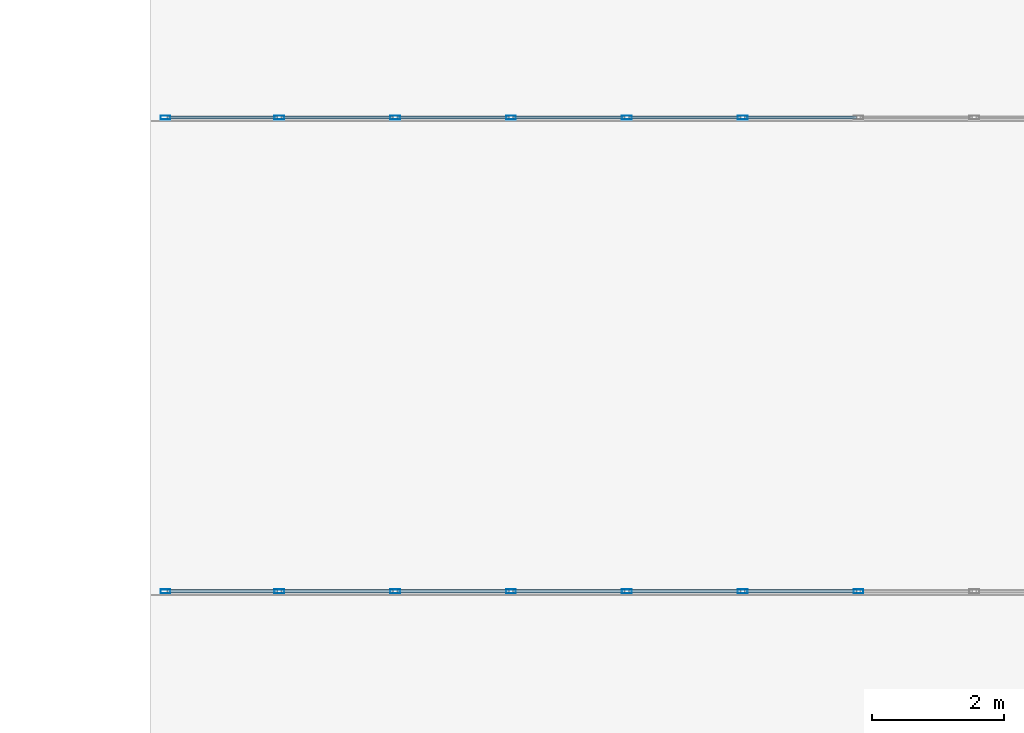
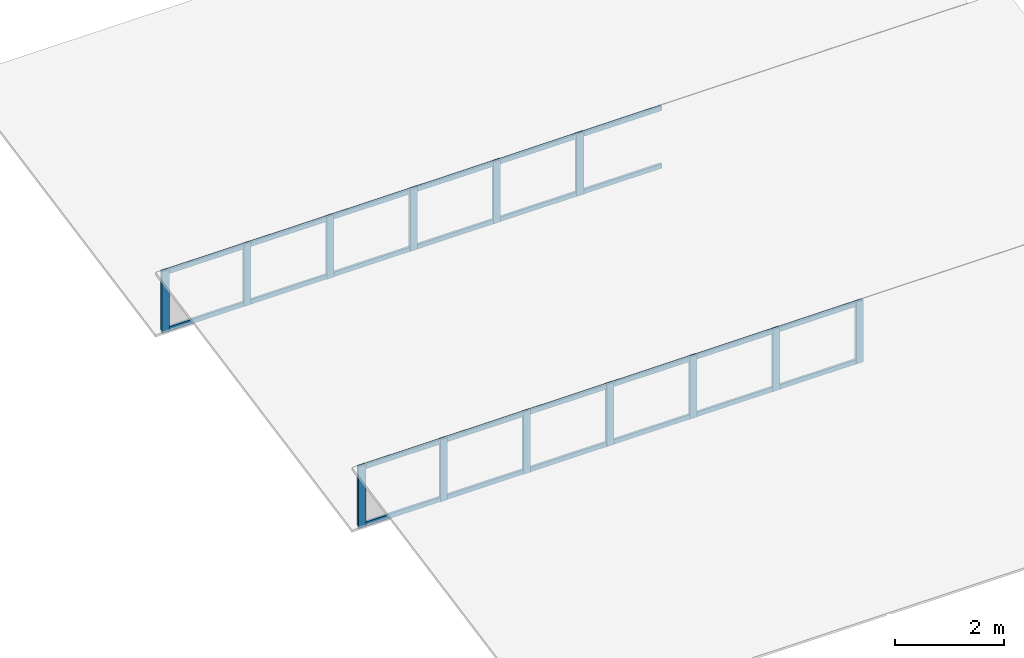
# One storey, part 42 of 101: 37 members, 2 elements without a shape of their own.
"""IFC4 building model written with IfcOpenShell, lengths in metres."""

from ifc_helpers import new_model, si_unit, direction, frame, origin, origin_2d, place, context, subcontext, project, spatial, hollow_rectangle, extrude, material, material_profile, profile_set, type_object, element, aggregate, save


model = new_model("IFC4")

# Units and contexts
model_context = context("Model", 3, precision=1e-05, world=origin(), true_north=direction((0.0, 1.0)))
body_context = subcontext(model_context, "Body", "Model", "MODEL_VIEW")
ifc_project = project(units=[si_unit("LENGTHUNIT", "METRE"), si_unit("AREAUNIT", "SQUARE_METRE"), si_unit("VOLUMEUNIT", "CUBIC_METRE"), si_unit("PLANEANGLEUNIT", "RADIAN"), si_unit("MASSUNIT", "GRAM", prefix="KILO")], contexts=[model_context])

# Site, building, storey
site_placement = place(None, origin())
site = spatial("IfcSite", under=ifc_project, at=site_placement, CompositionType="ELEMENT")
building_placement = place(site_placement, origin())
building = spatial("IfcBuilding", under=site, at=building_placement, Name="Laocheng Heights Fire and Rescue Headquarters", CompositionType="ELEMENT")
storey_placement = place(building_placement, frame((0.0, 0.0, 8.39990234375)))
storey = spatial("IfcBuildingStorey", under=building, at=storey_placement, Name="L02", CompositionType="ELEMENT", Elevation=8.39990234375)

# Curtain wall, members
ifc_material_1 = material(Name="Aluminium unitised curtain wall, low-e double glazing", Category="aluminium")
curtain_wall_type = type_object("IfcCurtainWallType", Name="CW 17600 x 1388 WORKSHOP UNIT", PredefinedType="NOTDEFINED", material=ifc_material_1)
curtain_wall_1_placement = place(storey_placement, origin())
curtain_wall_1 = element("IfcCurtainWall", 1, at=curtain_wall_1_placement, inside=storey, type_object=curtain_wall_type, Name="Sawtooth glazing tooth 1", PredefinedType="NOTDEFINED")
ifc_material_2 = material(Name="Aluminium 6063-T5 extrusion", Category="aluminium")
ifc_material_profile_1 = material_profile(ifc_material_2, hollow_rectangle(XDim=0.06005859375, YDim=0.14990234375, WallThickness=0.0029296875, at=origin_2d()), Name="AL MULLION 150x60x3")
ifc_profile_set_1 = profile_set([ifc_material_profile_1], Name="Aluminium 6063-T5 extrusion")
member_type_1 = type_object("IfcMemberType", Name="AL CURTAIN WALL MULLION 150x60x3 SAWTOOTH", PredefinedType="MULLION", material=ifc_profile_set_1)
member_1_placement = place(storey_placement, frame((108.22998046875, 7.260009765625, 0.01171875), z_axis=(0.0, 0.0, 1.0), x_axis=(0.0, 1.0, 0.0)))
member_1 = element("IfcMember", 2, at=member_1_placement, type_object=member_type_1, Name="X1-O mullion 1", PredefinedType="MULLION", context=body_context, shape_type="SweptSolid", body=[
    extrude(hollow_rectangle(XDim=0.06005859375, YDim=0.14990234375, WallThickness=0.0029296875, at=origin_2d()), origin(), (0.0, 0.0, 1.0), 1.388427734375),
])
member_2_placement = place(storey_placement, frame((109.9599609375, 7.260009765625, 0.01171875), z_axis=(0.0, 0.0, 1.0), x_axis=(0.0, 1.0, 0.0)))
member_2 = element("IfcMember", 3, at=member_2_placement, type_object=member_type_1, Name="X1-O mullion 2", PredefinedType="MULLION", context=body_context, shape_type="SweptSolid", body=[
    extrude(hollow_rectangle(XDim=0.06005859375, YDim=0.14990234375, WallThickness=0.0029296875, at=origin_2d()), origin(), (0.0, 0.0, 1.0), 1.388427734375),
])
member_3_placement = place(storey_placement, frame((111.719970703125, 7.260009765625, 0.01171875), z_axis=(0.0, 0.0, 1.0), x_axis=(0.0, 1.0, 0.0)))
member_3 = element("IfcMember", 4, at=member_3_placement, type_object=member_type_1, Name="X1-O mullion 3", PredefinedType="MULLION", context=body_context, shape_type="SweptSolid", body=[
    extrude(hollow_rectangle(XDim=0.06005859375, YDim=0.14990234375, WallThickness=0.0029296875, at=origin_2d()), origin(), (0.0, 0.0, 1.0), 1.388427734375),
])
member_4_placement = place(storey_placement, frame((113.47998046875, 7.260009765625, 0.01171875), z_axis=(0.0, 0.0, 1.0), x_axis=(0.0, 1.0, 0.0)))
member_4 = element("IfcMember", 5, at=member_4_placement, type_object=member_type_1, Name="X1-O mullion 4", PredefinedType="MULLION", context=body_context, shape_type="SweptSolid", body=[
    extrude(hollow_rectangle(XDim=0.06005859375, YDim=0.14990234375, WallThickness=0.0029296875, at=origin_2d()), origin(), (0.0, 0.0, 1.0), 1.388427734375),
])
member_5_placement = place(storey_placement, frame((115.239990234375, 7.260009765625, 0.01171875), z_axis=(0.0, 0.0, 1.0), x_axis=(0.0, 1.0, 0.0)))
member_5 = element("IfcMember", 6, at=member_5_placement, type_object=member_type_1, Name="X1-O mullion 5", PredefinedType="MULLION", context=body_context, shape_type="SweptSolid", body=[
    extrude(hollow_rectangle(XDim=0.06005859375, YDim=0.14990234375, WallThickness=0.0029296875, at=origin_2d()), origin(), (0.0, 0.0, 1.0), 1.388427734375),
])
member_6_placement = place(storey_placement, frame((117.0, 7.260009765625, 0.01171875), z_axis=(0.0, 0.0, 1.0), x_axis=(0.0, 1.0, 0.0)))
member_6 = element("IfcMember", 7, at=member_6_placement, type_object=member_type_1, Name="X1-O mullion 6", PredefinedType="MULLION", context=body_context, shape_type="SweptSolid", body=[
    extrude(hollow_rectangle(XDim=0.06005859375, YDim=0.14990234375, WallThickness=0.0029296875, at=origin_2d()), origin(), (0.0, 0.0, 1.0), 1.388427734375),
])
member_7_placement = place(storey_placement, frame((118.760009765625, 7.260009765625, 0.01171875), z_axis=(0.0, 0.0, 1.0), x_axis=(0.0, 1.0, 0.0)))
member_7 = element("IfcMember", 8, at=member_7_placement, type_object=member_type_1, Name="X1-O mullion 7", PredefinedType="MULLION", context=body_context, shape_type="SweptSolid", body=[
    extrude(hollow_rectangle(XDim=0.06005859375, YDim=0.14990234375, WallThickness=0.0029296875, at=origin_2d()), origin(), (0.0, 0.0, 1.0), 1.388427734375),
])

curtain_wall_2_placement = place(storey_placement, origin())
curtain_wall_2 = element("IfcCurtainWall", 9, at=curtain_wall_2_placement, inside=storey, type_object=curtain_wall_type, Name="Sawtooth glazing tooth 2", PredefinedType="NOTDEFINED")
member_8_placement = place(storey_placement, frame((108.22998046875, 14.4599609375, 0.01171875), z_axis=(0.0, 0.0, 1.0), x_axis=(0.0, 1.0, 0.0)))
member_8 = element("IfcMember", 10, at=member_8_placement, type_object=member_type_1, Name="X1-O mullion 1", PredefinedType="MULLION", context=body_context, shape_type="SweptSolid", body=[
    extrude(hollow_rectangle(XDim=0.06005859375, YDim=0.14990234375, WallThickness=0.0029296875, at=origin_2d()), origin(), (0.0, 0.0, 1.0), 1.388427734375),
])
member_9_placement = place(storey_placement, frame((109.9599609375, 14.4599609375, 0.01171875), z_axis=(0.0, 0.0, 1.0), x_axis=(0.0, 1.0, 0.0)))
member_9 = element("IfcMember", 11, at=member_9_placement, type_object=member_type_1, Name="X1-O mullion 2", PredefinedType="MULLION", context=body_context, shape_type="SweptSolid", body=[
    extrude(hollow_rectangle(XDim=0.06005859375, YDim=0.14990234375, WallThickness=0.0029296875, at=origin_2d()), origin(), (0.0, 0.0, 1.0), 1.388427734375),
])
member_10_placement = place(storey_placement, frame((111.719970703125, 14.4599609375, 0.01171875), z_axis=(0.0, 0.0, 1.0), x_axis=(0.0, 1.0, 0.0)))
member_10 = element("IfcMember", 12, at=member_10_placement, type_object=member_type_1, Name="X1-O mullion 3", PredefinedType="MULLION", context=body_context, shape_type="SweptSolid", body=[
    extrude(hollow_rectangle(XDim=0.06005859375, YDim=0.14990234375, WallThickness=0.0029296875, at=origin_2d()), origin(), (0.0, 0.0, 1.0), 1.388427734375),
])
member_11_placement = place(storey_placement, frame((113.47998046875, 14.4599609375, 0.01171875), z_axis=(0.0, 0.0, 1.0), x_axis=(0.0, 1.0, 0.0)))
member_11 = element("IfcMember", 13, at=member_11_placement, type_object=member_type_1, Name="X1-O mullion 4", PredefinedType="MULLION", context=body_context, shape_type="SweptSolid", body=[
    extrude(hollow_rectangle(XDim=0.06005859375, YDim=0.14990234375, WallThickness=0.0029296875, at=origin_2d()), origin(), (0.0, 0.0, 1.0), 1.388427734375),
])
member_12_placement = place(storey_placement, frame((115.239990234375, 14.4599609375, 0.01171875), z_axis=(0.0, 0.0, 1.0), x_axis=(0.0, 1.0, 0.0)))
member_12 = element("IfcMember", 14, at=member_12_placement, type_object=member_type_1, Name="X1-O mullion 5", PredefinedType="MULLION", context=body_context, shape_type="SweptSolid", body=[
    extrude(hollow_rectangle(XDim=0.06005859375, YDim=0.14990234375, WallThickness=0.0029296875, at=origin_2d()), origin(), (0.0, 0.0, 1.0), 1.388427734375),
])
member_13_placement = place(storey_placement, frame((117.0, 14.4599609375, 0.01171875), z_axis=(0.0, 0.0, 1.0), x_axis=(0.0, 1.0, 0.0)))
member_13 = element("IfcMember", 15, at=member_13_placement, type_object=member_type_1, Name="X1-O mullion 6", PredefinedType="MULLION", context=body_context, shape_type="SweptSolid", body=[
    extrude(hollow_rectangle(XDim=0.06005859375, YDim=0.14990234375, WallThickness=0.0029296875, at=origin_2d()), origin(), (0.0, 0.0, 1.0), 1.388427734375),
])

# Member
ifc_material_3 = material(Name="Aluminium 6063-T5 extrusion", Category="aluminium")
ifc_material_profile_2 = material_profile(ifc_material_3, hollow_rectangle(XDim=0.050048828125, YDim=0.10009765625, WallThickness=0.0029296875, at=origin_2d()), Name="AL TRANSOM 100x50x3")
ifc_profile_set_2 = profile_set([ifc_material_profile_2], Name="Aluminium 6063-T5 extrusion")
member_type_2 = type_object("IfcMemberType", Name="AL CURTAIN WALL TRANSOM 100x50x3 SAWTOOTH", PredefinedType="USERDEFINED", material=ifc_profile_set_2)
member_14_placement = place(storey_placement, frame((108.260009765625, 7.260009765625, 0.061767578125), z_axis=(1.0, 0.0, 0.0), x_axis=(0.0, 1.0, 0.0)))
member_14 = element("IfcMember", 16, at=member_14_placement, type_object=member_type_2, Name="X1-O transom 1.1", ObjectType="TRANSOM", PredefinedType="USERDEFINED", context=body_context, shape_type="SweptSolid", body=[
    extrude(hollow_rectangle(XDim=0.050048828125, YDim=0.10009765625, WallThickness=0.0029296875, at=origin_2d()), origin(), (0.0, 0.0, 1.0), 1.669921875),
])

member_15_placement = place(storey_placement, frame((108.260009765625, 7.260009765625, 1.35009765625), z_axis=(1.0, 0.0, 0.0), x_axis=(0.0, 1.0, 0.0)))
member_15 = element("IfcMember", 17, at=member_15_placement, type_object=member_type_2, Name="X1-O transom 1.2", ObjectType="TRANSOM", PredefinedType="USERDEFINED", context=body_context, shape_type="SweptSolid", body=[
    extrude(hollow_rectangle(XDim=0.050048828125, YDim=0.10009765625, WallThickness=0.0029296875, at=origin_2d()), origin(), (0.0, 0.0, 1.0), 1.669921875),
])

member_16_placement = place(storey_placement, frame((109.989990234375, 7.260009765625, 0.061767578125), z_axis=(1.0, 0.0, 0.0), x_axis=(0.0, 1.0, 0.0)))
member_16 = element("IfcMember", 18, at=member_16_placement, type_object=member_type_2, Name="X1-O transom 2.1", ObjectType="TRANSOM", PredefinedType="USERDEFINED", context=body_context, shape_type="SweptSolid", body=[
    extrude(hollow_rectangle(XDim=0.050048828125, YDim=0.10009765625, WallThickness=0.0029296875, at=origin_2d()), origin(), (0.0, 0.0, 1.0), 1.699951171875),
])

member_17_placement = place(storey_placement, frame((109.989990234375, 7.260009765625, 1.35009765625), z_axis=(1.0, 0.0, 0.0), x_axis=(0.0, 1.0, 0.0)))
member_17 = element("IfcMember", 19, at=member_17_placement, type_object=member_type_2, Name="X1-O transom 2.2", ObjectType="TRANSOM", PredefinedType="USERDEFINED", context=body_context, shape_type="SweptSolid", body=[
    extrude(hollow_rectangle(XDim=0.050048828125, YDim=0.10009765625, WallThickness=0.0029296875, at=origin_2d()), origin(), (0.0, 0.0, 1.0), 1.699951171875),
])

member_18_placement = place(storey_placement, frame((111.75, 7.260009765625, 0.061767578125), z_axis=(1.0, 0.0, 0.0), x_axis=(0.0, 1.0, 0.0)))
member_18 = element("IfcMember", 20, at=member_18_placement, type_object=member_type_2, Name="X1-O transom 3.1", ObjectType="TRANSOM", PredefinedType="USERDEFINED", context=body_context, shape_type="SweptSolid", body=[
    extrude(hollow_rectangle(XDim=0.050048828125, YDim=0.10009765625, WallThickness=0.0029296875, at=origin_2d()), origin(), (0.0, 0.0, 1.0), 1.699951171875),
])

member_19_placement = place(storey_placement, frame((111.75, 7.260009765625, 1.35009765625), z_axis=(1.0, 0.0, 0.0), x_axis=(0.0, 1.0, 0.0)))
member_19 = element("IfcMember", 21, at=member_19_placement, type_object=member_type_2, Name="X1-O transom 3.2", ObjectType="TRANSOM", PredefinedType="USERDEFINED", context=body_context, shape_type="SweptSolid", body=[
    extrude(hollow_rectangle(XDim=0.050048828125, YDim=0.10009765625, WallThickness=0.0029296875, at=origin_2d()), origin(), (0.0, 0.0, 1.0), 1.699951171875),
])

member_20_placement = place(storey_placement, frame((113.510009765625, 7.260009765625, 0.061767578125), z_axis=(1.0, 0.0, 0.0), x_axis=(0.0, 1.0, 0.0)))
member_20 = element("IfcMember", 22, at=member_20_placement, type_object=member_type_2, Name="X1-O transom 4.1", ObjectType="TRANSOM", PredefinedType="USERDEFINED", context=body_context, shape_type="SweptSolid", body=[
    extrude(hollow_rectangle(XDim=0.050048828125, YDim=0.10009765625, WallThickness=0.0029296875, at=origin_2d()), origin(), (0.0, 0.0, 1.0), 1.699951171875),
])

member_21_placement = place(storey_placement, frame((113.510009765625, 7.260009765625, 1.35009765625), z_axis=(1.0, 0.0, 0.0), x_axis=(0.0, 1.0, 0.0)))
member_21 = element("IfcMember", 23, at=member_21_placement, type_object=member_type_2, Name="X1-O transom 4.2", ObjectType="TRANSOM", PredefinedType="USERDEFINED", context=body_context, shape_type="SweptSolid", body=[
    extrude(hollow_rectangle(XDim=0.050048828125, YDim=0.10009765625, WallThickness=0.0029296875, at=origin_2d()), origin(), (0.0, 0.0, 1.0), 1.699951171875),
])

member_22_placement = place(storey_placement, frame((115.27001953125, 7.260009765625, 0.061767578125), z_axis=(1.0, 0.0, 0.0), x_axis=(0.0, 1.0, 0.0)))
member_22 = element("IfcMember", 24, at=member_22_placement, type_object=member_type_2, Name="X1-O transom 5.1", ObjectType="TRANSOM", PredefinedType="USERDEFINED", context=body_context, shape_type="SweptSolid", body=[
    extrude(hollow_rectangle(XDim=0.050048828125, YDim=0.10009765625, WallThickness=0.0029296875, at=origin_2d()), origin(), (0.0, 0.0, 1.0), 1.699951171875),
])

member_23_placement = place(storey_placement, frame((115.27001953125, 7.260009765625, 1.35009765625), z_axis=(1.0, 0.0, 0.0), x_axis=(0.0, 1.0, 0.0)))
member_23 = element("IfcMember", 25, at=member_23_placement, type_object=member_type_2, Name="X1-O transom 5.2", ObjectType="TRANSOM", PredefinedType="USERDEFINED", context=body_context, shape_type="SweptSolid", body=[
    extrude(hollow_rectangle(XDim=0.050048828125, YDim=0.10009765625, WallThickness=0.0029296875, at=origin_2d()), origin(), (0.0, 0.0, 1.0), 1.699951171875),
])

member_24_placement = place(storey_placement, frame((117.030029296875, 7.260009765625, 0.061767578125), z_axis=(1.0, 0.0, 0.0), x_axis=(0.0, 1.0, 0.0)))
member_24 = element("IfcMember", 26, at=member_24_placement, type_object=member_type_2, Name="X1-O transom 6.1", ObjectType="TRANSOM", PredefinedType="USERDEFINED", context=body_context, shape_type="SweptSolid", body=[
    extrude(hollow_rectangle(XDim=0.050048828125, YDim=0.10009765625, WallThickness=0.0029296875, at=origin_2d()), origin(), (0.0, 0.0, 1.0), 1.699951171875),
])

member_25_placement = place(storey_placement, frame((117.030029296875, 7.260009765625, 1.35009765625), z_axis=(1.0, 0.0, 0.0), x_axis=(0.0, 1.0, 0.0)))
member_25 = element("IfcMember", 27, at=member_25_placement, type_object=member_type_2, Name="X1-O transom 6.2", ObjectType="TRANSOM", PredefinedType="USERDEFINED", context=body_context, shape_type="SweptSolid", body=[
    extrude(hollow_rectangle(XDim=0.050048828125, YDim=0.10009765625, WallThickness=0.0029296875, at=origin_2d()), origin(), (0.0, 0.0, 1.0), 1.699951171875),
])

aggregate(curtain_wall_1, [member_1, member_2, member_3, member_4, member_5, member_6, member_7, member_14, member_15, member_16, member_17, member_18, member_19, member_20, member_21, member_22, member_23, member_24, member_25])

member_26_placement = place(storey_placement, frame((108.260009765625, 14.4599609375, 0.061767578125), z_axis=(1.0, 0.0, 0.0), x_axis=(0.0, 1.0, 0.0)))
member_26 = element("IfcMember", 28, at=member_26_placement, type_object=member_type_2, Name="X1-O transom 1.1", ObjectType="TRANSOM", PredefinedType="USERDEFINED", context=body_context, shape_type="SweptSolid", body=[
    extrude(hollow_rectangle(XDim=0.050048828125, YDim=0.10009765625, WallThickness=0.0029296875, at=origin_2d()), origin(), (0.0, 0.0, 1.0), 1.669921875),
])

member_27_placement = place(storey_placement, frame((108.260009765625, 14.4599609375, 1.35009765625), z_axis=(1.0, 0.0, 0.0), x_axis=(0.0, 1.0, 0.0)))
member_27 = element("IfcMember", 29, at=member_27_placement, type_object=member_type_2, Name="X1-O transom 1.2", ObjectType="TRANSOM", PredefinedType="USERDEFINED", context=body_context, shape_type="SweptSolid", body=[
    extrude(hollow_rectangle(XDim=0.050048828125, YDim=0.10009765625, WallThickness=0.0029296875, at=origin_2d()), origin(), (0.0, 0.0, 1.0), 1.669921875),
])

member_28_placement = place(storey_placement, frame((109.989990234375, 14.4599609375, 0.061767578125), z_axis=(1.0, 0.0, 0.0), x_axis=(0.0, 1.0, 0.0)))
member_28 = element("IfcMember", 30, at=member_28_placement, type_object=member_type_2, Name="X1-O transom 2.1", ObjectType="TRANSOM", PredefinedType="USERDEFINED", context=body_context, shape_type="SweptSolid", body=[
    extrude(hollow_rectangle(XDim=0.050048828125, YDim=0.10009765625, WallThickness=0.0029296875, at=origin_2d()), origin(), (0.0, 0.0, 1.0), 1.699951171875),
])

member_29_placement = place(storey_placement, frame((109.989990234375, 14.4599609375, 1.35009765625), z_axis=(1.0, 0.0, 0.0), x_axis=(0.0, 1.0, 0.0)))
member_29 = element("IfcMember", 31, at=member_29_placement, type_object=member_type_2, Name="X1-O transom 2.2", ObjectType="TRANSOM", PredefinedType="USERDEFINED", context=body_context, shape_type="SweptSolid", body=[
    extrude(hollow_rectangle(XDim=0.050048828125, YDim=0.10009765625, WallThickness=0.0029296875, at=origin_2d()), origin(), (0.0, 0.0, 1.0), 1.699951171875),
])

member_30_placement = place(storey_placement, frame((111.75, 14.4599609375, 0.061767578125), z_axis=(1.0, 0.0, 0.0), x_axis=(0.0, 1.0, 0.0)))
member_30 = element("IfcMember", 32, at=member_30_placement, type_object=member_type_2, Name="X1-O transom 3.1", ObjectType="TRANSOM", PredefinedType="USERDEFINED", context=body_context, shape_type="SweptSolid", body=[
    extrude(hollow_rectangle(XDim=0.050048828125, YDim=0.10009765625, WallThickness=0.0029296875, at=origin_2d()), origin(), (0.0, 0.0, 1.0), 1.699951171875),
])

member_31_placement = place(storey_placement, frame((111.75, 14.4599609375, 1.35009765625), z_axis=(1.0, 0.0, 0.0), x_axis=(0.0, 1.0, 0.0)))
member_31 = element("IfcMember", 33, at=member_31_placement, type_object=member_type_2, Name="X1-O transom 3.2", ObjectType="TRANSOM", PredefinedType="USERDEFINED", context=body_context, shape_type="SweptSolid", body=[
    extrude(hollow_rectangle(XDim=0.050048828125, YDim=0.10009765625, WallThickness=0.0029296875, at=origin_2d()), origin(), (0.0, 0.0, 1.0), 1.699951171875),
])

member_32_placement = place(storey_placement, frame((113.510009765625, 14.4599609375, 0.061767578125), z_axis=(1.0, 0.0, 0.0), x_axis=(0.0, 1.0, 0.0)))
member_32 = element("IfcMember", 34, at=member_32_placement, type_object=member_type_2, Name="X1-O transom 4.1", ObjectType="TRANSOM", PredefinedType="USERDEFINED", context=body_context, shape_type="SweptSolid", body=[
    extrude(hollow_rectangle(XDim=0.050048828125, YDim=0.10009765625, WallThickness=0.0029296875, at=origin_2d()), origin(), (0.0, 0.0, 1.0), 1.699951171875),
])

member_33_placement = place(storey_placement, frame((113.510009765625, 14.4599609375, 1.35009765625), z_axis=(1.0, 0.0, 0.0), x_axis=(0.0, 1.0, 0.0)))
member_33 = element("IfcMember", 35, at=member_33_placement, type_object=member_type_2, Name="X1-O transom 4.2", ObjectType="TRANSOM", PredefinedType="USERDEFINED", context=body_context, shape_type="SweptSolid", body=[
    extrude(hollow_rectangle(XDim=0.050048828125, YDim=0.10009765625, WallThickness=0.0029296875, at=origin_2d()), origin(), (0.0, 0.0, 1.0), 1.699951171875),
])

member_34_placement = place(storey_placement, frame((115.27001953125, 14.4599609375, 0.061767578125), z_axis=(1.0, 0.0, 0.0), x_axis=(0.0, 1.0, 0.0)))
member_34 = element("IfcMember", 36, at=member_34_placement, type_object=member_type_2, Name="X1-O transom 5.1", ObjectType="TRANSOM", PredefinedType="USERDEFINED", context=body_context, shape_type="SweptSolid", body=[
    extrude(hollow_rectangle(XDim=0.050048828125, YDim=0.10009765625, WallThickness=0.0029296875, at=origin_2d()), origin(), (0.0, 0.0, 1.0), 1.699951171875),
])

member_35_placement = place(storey_placement, frame((115.27001953125, 14.4599609375, 1.35009765625), z_axis=(1.0, 0.0, 0.0), x_axis=(0.0, 1.0, 0.0)))
member_35 = element("IfcMember", 37, at=member_35_placement, type_object=member_type_2, Name="X1-O transom 5.2", ObjectType="TRANSOM", PredefinedType="USERDEFINED", context=body_context, shape_type="SweptSolid", body=[
    extrude(hollow_rectangle(XDim=0.050048828125, YDim=0.10009765625, WallThickness=0.0029296875, at=origin_2d()), origin(), (0.0, 0.0, 1.0), 1.699951171875),
])

member_36_placement = place(storey_placement, frame((117.030029296875, 14.4599609375, 0.061767578125), z_axis=(1.0, 0.0, 0.0), x_axis=(0.0, 1.0, 0.0)))
member_36 = element("IfcMember", 38, at=member_36_placement, type_object=member_type_2, Name="X1-O transom 6.1", ObjectType="TRANSOM", PredefinedType="USERDEFINED", context=body_context, shape_type="SweptSolid", body=[
    extrude(hollow_rectangle(XDim=0.050048828125, YDim=0.10009765625, WallThickness=0.0029296875, at=origin_2d()), origin(), (0.0, 0.0, 1.0), 1.699951171875),
])

member_37_placement = place(storey_placement, frame((117.030029296875, 14.4599609375, 1.35009765625), z_axis=(1.0, 0.0, 0.0), x_axis=(0.0, 1.0, 0.0)))
member_37 = element("IfcMember", 39, at=member_37_placement, type_object=member_type_2, Name="X1-O transom 6.2", ObjectType="TRANSOM", PredefinedType="USERDEFINED", context=body_context, shape_type="SweptSolid", body=[
    extrude(hollow_rectangle(XDim=0.050048828125, YDim=0.10009765625, WallThickness=0.0029296875, at=origin_2d()), origin(), (0.0, 0.0, 1.0), 1.699951171875),
])

aggregate(curtain_wall_2, [member_8, member_9, member_10, member_11, member_12, member_13, member_26, member_27, member_28, member_29, member_30, member_31, member_32, member_33, member_34, member_35, member_36, member_37])

save(model, "model.ifc")
